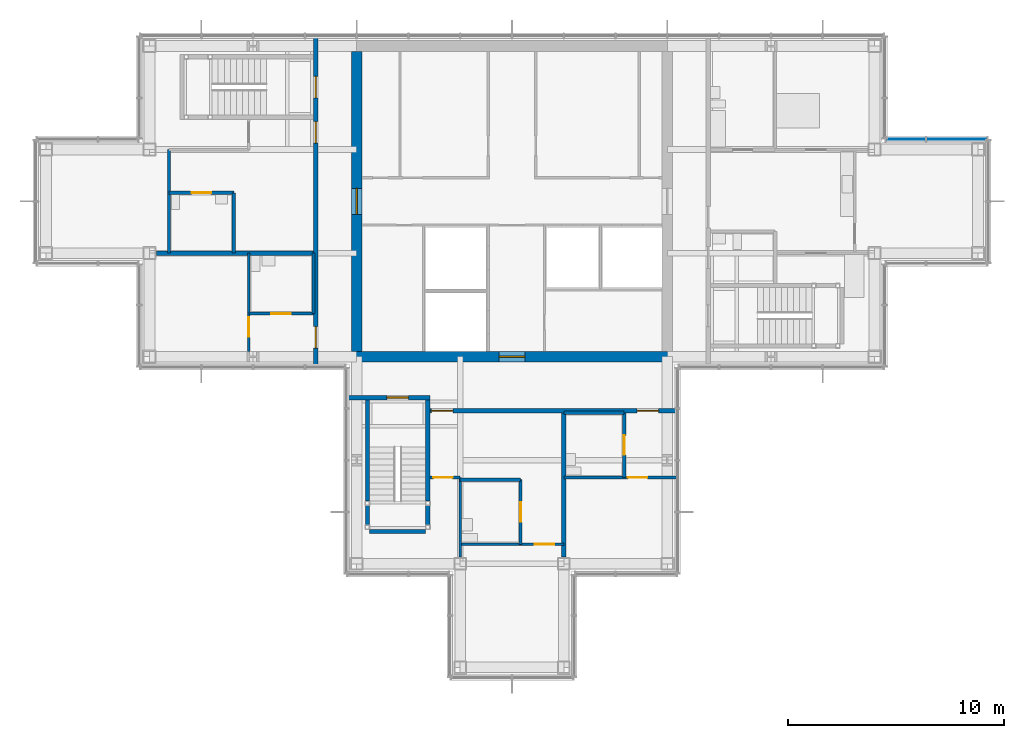
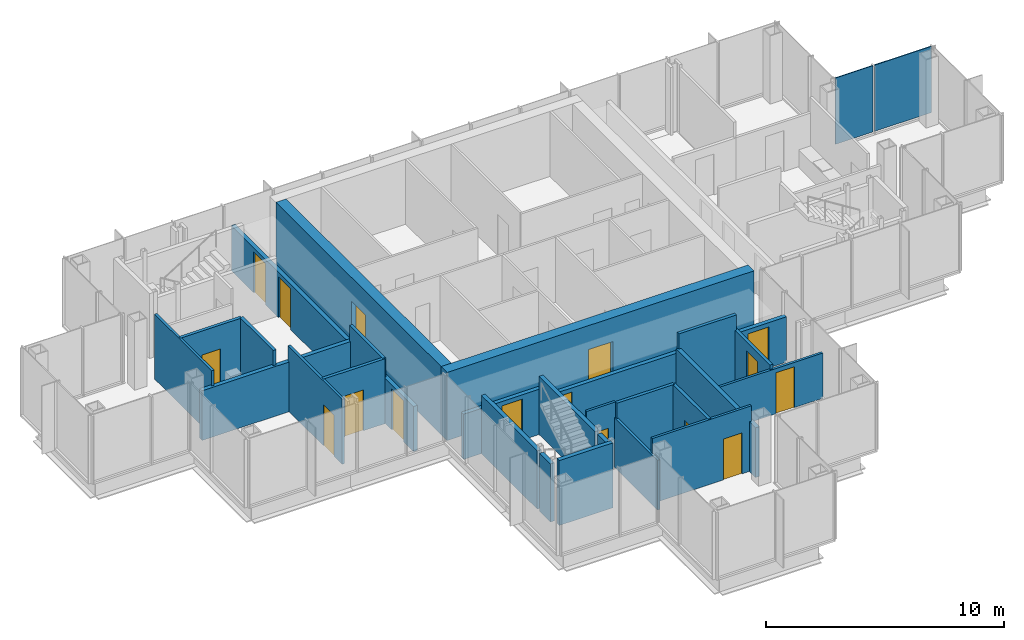
# One storey, part 10 of 15: 26 walls, 16 doors, 2 plates, 16 openings, 1 element without a shape of its own.
"""IFC4 building model written with IfcOpenShell, lengths in metres."""

from ifc_helpers import new_model, si_unit, direction, frame, frame_2d, origin, origin_2d, place, context, subcontext, project, spatial, rectangle, extrude, material, layer, layer_set, type_object, element, fill, aggregate, save


model = new_model("IFC4")

# Units and contexts
model_context = context("Model", 3, precision=1e-05, world=origin(), true_north=direction((0.0, 1.0)))
body_context = subcontext(model_context, "Body", "Model", "MODEL_VIEW")
ifc_project = project(units=[si_unit("LENGTHUNIT", "METRE"), si_unit("AREAUNIT", "SQUARE_METRE"), si_unit("VOLUMEUNIT", "CUBIC_METRE"), si_unit("PLANEANGLEUNIT", "RADIAN"), si_unit("MASSUNIT", "GRAM", prefix="KILO")], contexts=[model_context])

# Site, building, storey
site_placement = place(None, origin())
site = spatial("IfcSite", under=ifc_project, at=site_placement, CompositionType="ELEMENT")
building_placement = place(site_placement, origin())
building = spatial("IfcBuilding", under=site, at=building_placement, Name="Kvirike Care Tower", CompositionType="ELEMENT")
storey_placement = place(building_placement, frame((0.0, 0.0, 229.5)))
storey = spatial("IfcBuildingStorey", under=building, at=storey_placement, Name="L63", CompositionType="ELEMENT", Elevation=229.5)

# Curtain wall, plates
ifc_material_1 = material(Name="Anodised aluminium stick system", Category="aluminium")
curtain_wall_type = type_object("IfcCurtainWallType", Name="CW-D STICK CURTAIN WALL", PredefinedType="NOTDEFINED", material=ifc_material_1)
curtain_wall_placement = place(storey_placement, origin())
curtain_wall = element("IfcCurtainWall", 1, at=curtain_wall_placement, inside=storey, type_object=curtain_wall_type, Name="Curtain wall L63 face 5", PredefinedType="NOTDEFINED")
ifc_material_2 = material(Name="Tinted double glazed unit", Category="glass")
ifc_layer_1 = layer(ifc_material_2, 0.0439453125)
ifc_layer_set_1 = layer_set([ifc_layer_1], Name="TINTED VISION PANEL 44")
plate_type = type_object("IfcPlateType", Name="TINTED VISION PANEL 44", PredefinedType="CURTAIN_PANEL", material=ifc_layer_set_1)
plate_1_placement = place(storey_placement, frame((42.2236328125, 38.8798828125, 0.10009765625), z_axis=(0.0, 0.0, 1.0), x_axis=(-1.0, 0.0, 0.0)))
plate_1 = element("IfcPlate", 2, at=plate_1_placement, type_object=plate_type, Name="CW-D panel L63 face 5.1", PredefinedType="CURTAIN_PANEL", context=body_context, shape_type="SweptSolid", body=[
    extrude(rectangle(XDim=2.782470703125, YDim=0.0439453125, at=origin_2d()), origin(), (0.0, 0.0, 1.0), 3.39990234375),
])
plate_2_placement = place(storey_placement, frame((39.856201171875, 38.8798828125, 0.10009765625), z_axis=(0.0, 0.0, 1.0), x_axis=(-1.0, 0.0, 0.0)))
plate_2 = element("IfcPlate", 3, at=plate_2_placement, type_object=plate_type, Name="CW-D panel L63 face 5.2", PredefinedType="CURTAIN_PANEL", context=body_context, shape_type="SweptSolid", body=[
    extrude(rectangle(XDim=1.822509765625, YDim=0.0439453125, at=origin_2d()), origin(), (0.0, 0.0, 1.0), 3.39990234375),
])
aggregate(curtain_wall, [plate_1, plate_2])

# Wall, opening, door
ifc_material_3 = material(Name="Moisture-resistant board partition", Category="gypsum")
ifc_layer_2 = layer(ifc_material_3, 0.14990234375)
ifc_layer_set_2 = layer_set([ifc_layer_2], Name="BATHROOM WALL 150")
wall_type_1 = type_object("IfcWallType", Name="BATHROOM WALL 150", PredefinedType="PARTITIONING", material=ifc_layer_set_2)
wall_1_placement = place(storey_placement, frame((5.699951171875, 36.39990234375, 0.0), z_axis=(0.0, 0.0, 1.0), x_axis=(1.0, 0.0, 0.0)))
wall_1 = element("IfcWall", 4, at=wall_1_placement, inside=storey, type_object=wall_type_1, Name="Bathroom Wall 150 L63", PredefinedType="PARTITIONING", context=body_context, shape_type="SweptSolid", body=[
    extrude(rectangle(XDim=3.0, YDim=0.14990234375, at=frame_2d((1.5, 0.0))), origin(), (0.0, 0.0, 1.0), 3.330078125),
])
opening_1_placement = place(wall_1_placement, frame((1.050048828125, 0.0, 0.0)))
opening_1 = element("IfcOpeningElement", 5, at=opening_1_placement, cuts=wall_1, Name="Opening 63-001", PredefinedType="OPENING", context=body_context, shape_type="SweptSolid", body=[
    extrude(rectangle(XDim=0.89990234375, YDim=2.10009765625, at=frame_2d((0.449951171875, 1.050048828125))), frame((0.0, 0.08544921875, 0.0), z_axis=(0.0, -1.0, 0.0), x_axis=(1.0, 0.0, 0.0)), (0.0, 0.0, 1.0), 0.1708984375),
])
ifc_material_4 = material(Name="Timber door set", Category="wood")
door_type_1 = type_object("IfcDoorType", Name="BATHROOM DOOR 900", OperationType="SINGLE_SWING_RIGHT", PredefinedType="DOOR", material=ifc_material_4)
door_1_placement = place(opening_1_placement, frame((0.89990234375, 0.0, 0.0), z_axis=(0.0, 0.0, 1.0), x_axis=(-1.0, 0.0, 0.0)))
door_1 = element("IfcDoor", 6, at=door_1_placement, inside=storey, type_object=door_type_1, Name="Staff WC door", OperationType="SINGLE_SWING_RIGHT", OverallHeight=2.10009765625, OverallWidth=0.89990234375, PredefinedType="DOOR", context=body_context, shape_type="SweptSolid", body=[
    extrude(rectangle(XDim=0.89990234375, YDim=2.10009765625, at=frame_2d((0.449951171875, 1.050048828125))), frame((0.0, 0.02197265625, 0.0), z_axis=(0.0, -1.0, 0.0), x_axis=(1.0, 0.0, 0.0)), (0.0, 0.0, 1.0), 0.0439453125),
])
fill(opening_1, door_1)

# Wall
wall_2_placement = place(storey_placement, frame((8.699951171875, 36.39990234375, 0.0), z_axis=(0.0, 0.0, 1.0), x_axis=(0.0, -1.0, 0.0)))
element("IfcWall", 7, at=wall_2_placement, inside=storey, type_object=wall_type_1, Name="Bathroom Wall 150 L63", PredefinedType="PARTITIONING", context=body_context, shape_type="SweptSolid", body=[
    extrude(rectangle(XDim=2.7998046875, YDim=0.14990234375, at=frame_2d((1.39990234375, 0.0))), origin(), (0.0, 0.0, 1.0), 3.330078125),
])

# Wall, opening, door
wall_3_placement = place(storey_placement, frame((9.39990234375, 30.800048828125, 0.0), z_axis=(0.0, 0.0, 1.0), x_axis=(1.0, 0.0, 0.0)))
wall_3 = element("IfcWall", 8, at=wall_3_placement, inside=storey, type_object=wall_type_1, Name="Bathroom Wall 150 L63", PredefinedType="PARTITIONING", context=body_context, shape_type="SweptSolid", body=[
    extrude(rectangle(XDim=3.0, YDim=0.14990234375, at=frame_2d((1.5, 0.0))), origin(), (0.0, 0.0, 1.0), 3.330078125),
])
opening_2_placement = place(wall_3_placement, frame((1.050048828125, 0.0, 0.0)))
opening_2 = element("IfcOpeningElement", 9, at=opening_2_placement, cuts=wall_3, Name="Opening 63-003", PredefinedType="OPENING", context=body_context, shape_type="SweptSolid", body=[
    extrude(rectangle(XDim=0.89990234375, YDim=2.10009765625, at=frame_2d((0.449951171875, 1.050048828125))), frame((0.0, 0.08544921875, 0.0), z_axis=(0.0, -1.0, 0.0), x_axis=(1.0, 0.0, 0.0)), (0.0, 0.0, 1.0), 0.1708984375),
])
door_2_placement = place(opening_2_placement, frame((0.89990234375, 0.0, 0.0), z_axis=(0.0, 0.0, 1.0), x_axis=(-1.0, 0.0, 0.0)))
door_2 = element("IfcDoor", 10, at=door_2_placement, inside=storey, type_object=door_type_1, Name="Accessible WC door", OperationType="SINGLE_SWING_RIGHT", OverallHeight=2.10009765625, OverallWidth=0.89990234375, PredefinedType="DOOR", context=body_context, shape_type="SweptSolid", body=[
    extrude(rectangle(XDim=0.89990234375, YDim=2.10009765625, at=frame_2d((0.449951171875, 1.050048828125))), frame((0.0, 0.02197265625, 0.0), z_axis=(0.0, -1.0, 0.0), x_axis=(1.0, 0.0, 0.0)), (0.0, 0.0, 1.0), 0.0439453125),
])
fill(opening_2, door_2)

# Wall
wall_4_placement = place(storey_placement, frame((12.39990234375, 33.60009765625, 0.0), z_axis=(0.0, 0.0, 1.0), x_axis=(0.0, -1.0, 0.0)))
element("IfcWall", 11, at=wall_4_placement, inside=storey, type_object=wall_type_1, Name="Bathroom Wall 150 L63", PredefinedType="PARTITIONING", context=body_context, shape_type="SweptSolid", body=[
    extrude(rectangle(XDim=2.800048828125, YDim=0.14990234375, at=frame_2d((1.39990234375, 0.0))), origin(), (0.0, 0.0, 1.0), 3.330078125),
])

# Wall, opening, door
wall_5_placement = place(storey_placement, frame((22.0, 20.10009765625, 0.0), z_axis=(0.0, 0.0, 1.0), x_axis=(0.0, 1.0, 0.0)))
wall_5 = element("IfcWall", 12, at=wall_5_placement, inside=storey, type_object=wall_type_1, Name="Bathroom Wall 150 L63", PredefinedType="PARTITIONING", context=body_context, shape_type="SweptSolid", body=[
    extrude(rectangle(XDim=3.0, YDim=0.14990234375, at=frame_2d((1.5, 0.0))), origin(), (0.0, 0.0, 1.0), 3.330078125),
])
opening_3_placement = place(wall_5_placement, frame((1.050048828125, 0.0, 0.0)))
opening_3 = element("IfcOpeningElement", 13, at=opening_3_placement, cuts=wall_5, Name="Opening 63-009", PredefinedType="OPENING", context=body_context, shape_type="SweptSolid", body=[
    extrude(rectangle(XDim=0.89990234375, YDim=2.10009765625, at=frame_2d((0.449951171875, 1.050048828125))), frame((0.0, 0.08544921875, 0.0), z_axis=(0.0, -1.0, 0.0), x_axis=(1.0, 0.0, 0.0)), (0.0, 0.0, 1.0), 0.1708984375),
])
door_3_placement = place(opening_3_placement, origin())
door_3 = element("IfcDoor", 14, at=door_3_placement, inside=storey, type_object=door_type_1, Name="Accessible WC door", OperationType="SINGLE_SWING_RIGHT", OverallHeight=2.10009765625, OverallWidth=0.89990234375, PredefinedType="DOOR", context=body_context, shape_type="SweptSolid", body=[
    extrude(rectangle(XDim=0.89990234375, YDim=2.10009765625, at=frame_2d((0.449951171875, 1.050048828125))), frame((0.0, 0.02197265625, 0.0), z_axis=(0.0, -1.0, 0.0), x_axis=(1.0, 0.0, 0.0)), (0.0, 0.0, 1.0), 0.0439453125),
])
fill(opening_3, door_3)

# Wall
wall_6_placement = place(storey_placement, frame((19.199951171875, 23.10009765625, 0.0), z_axis=(0.0, 0.0, 1.0), x_axis=(1.0, 0.0, 0.0)))
element("IfcWall", 15, at=wall_6_placement, inside=storey, type_object=wall_type_1, Name="Bathroom Wall 150 L63", PredefinedType="PARTITIONING", context=body_context, shape_type="SweptSolid", body=[
    extrude(rectangle(XDim=2.800048828125, YDim=0.14990234375, at=frame_2d((1.39990234375, 0.0))), origin(), (0.0, 0.0, 1.0), 3.330078125),
])

# Wall, opening, door
wall_7_placement = place(storey_placement, frame((26.800048828125, 23.199951171875, 0.0), z_axis=(0.0, 0.0, 1.0), x_axis=(0.0, 1.0, 0.0)))
wall_7 = element("IfcWall", 16, at=wall_7_placement, inside=storey, type_object=wall_type_1, Name="Bathroom Wall 150 L63", PredefinedType="PARTITIONING", context=body_context, shape_type="SweptSolid", body=[
    extrude(rectangle(XDim=3.0, YDim=0.14990234375, at=frame_2d((1.5, 0.0))), origin(), (0.0, 0.0, 1.0), 2.550048828125),
])
opening_4_placement = place(wall_7_placement, frame((1.050048828125, 0.0, 0.0)))
opening_4 = element("IfcOpeningElement", 17, at=opening_4_placement, cuts=wall_7, Name="Opening 63-012", PredefinedType="OPENING", context=body_context, shape_type="SweptSolid", body=[
    extrude(rectangle(XDim=0.89990234375, YDim=2.10009765625, at=frame_2d((0.449951171875, 1.050048828125))), frame((0.0, 0.08544921875, 0.0), z_axis=(0.0, -1.0, 0.0), x_axis=(1.0, 0.0, 0.0)), (0.0, 0.0, 1.0), 0.1708984375),
])
door_4_placement = place(opening_4_placement, frame((0.89990234375, 0.0, 0.0), z_axis=(0.0, 0.0, 1.0), x_axis=(-1.0, 0.0, 0.0)))
door_4 = element("IfcDoor", 18, at=door_4_placement, inside=storey, type_object=door_type_1, Name="Staff WC door", OperationType="SINGLE_SWING_LEFT", OverallHeight=2.10009765625, OverallWidth=0.89990234375, PredefinedType="DOOR", context=body_context, shape_type="SweptSolid", body=[
    extrude(rectangle(XDim=0.89990234375, YDim=2.10009765625, at=frame_2d((0.449951171875, 1.050048828125))), frame((0.0, 0.02197265625, 0.0), z_axis=(0.0, -1.0, 0.0), x_axis=(1.0, 0.0, 0.0)), (0.0, 0.0, 1.0), 0.0439453125),
])
fill(opening_4, door_4)

# Wall
wall_8_placement = place(storey_placement, frame((24.0, 26.199951171875, 0.0), z_axis=(0.0, 0.0, 1.0), x_axis=(1.0, 0.0, 0.0)))
element("IfcWall", 19, at=wall_8_placement, inside=storey, type_object=wall_type_1, Name="Bathroom Wall 150 L63", PredefinedType="PARTITIONING", context=body_context, shape_type="SweptSolid", body=[
    extrude(rectangle(XDim=2.800048828125, YDim=0.14990234375, at=frame_2d((1.39990234375, 0.0))), origin(), (0.0, 0.0, 1.0), 3.330078125),
])

# Wall, opening, door
ifc_material_5 = material(Name="Concrete C40/50", Category="concrete")
ifc_layer_3 = layer(ifc_material_5, 0.5)
ifc_layer_set_3 = layer_set([ifc_layer_3], Name="CORE WALL 500 C40-50")
wall_type_2 = type_object("IfcWallType", Name="CORE WALL 500 C40-50", PredefinedType="SHEAR", material=ifc_layer_set_3)
wall_9_placement = place(storey_placement, frame((14.14990234375, 28.800048828125, -0.169921875), z_axis=(0.0, 0.0, 1.0), x_axis=(1.0, 0.0, 0.0)))
wall_9 = element("IfcWall", 20, at=wall_9_placement, inside=storey, type_object=wall_type_2, Name="Core wall S L63", PredefinedType="SHEAR", context=body_context, shape_type="SweptSolid", body=[
    extrude(rectangle(XDim=14.900146484375, YDim=0.5, at=frame_2d((7.4501953125, 0.0))), origin(), (0.0, 0.0, 1.0), 3.5),
])
opening_5_placement = place(wall_9_placement, frame((6.85009765625, 0.0, 0.169921875)))
opening_5 = element("IfcOpeningElement", 21, at=opening_5_placement, cuts=wall_9, Name="Opening 63-036", PredefinedType="OPENING", context=body_context, shape_type="SweptSolid", body=[
    extrude(rectangle(XDim=1.199951171875, YDim=2.10009765625, at=frame_2d((0.60009765625, 1.050048828125))), frame((0.0, 0.260498046875, 0.0), z_axis=(0.0, -1.0, 0.0), x_axis=(1.0, 0.0, 0.0)), (0.0, 0.0, 1.0), 0.52099609375),
])
ifc_material_6 = material(Name="Timber door set", Category="wood")
door_type_2 = type_object("IfcDoorType", Name="CORE DOOR 1200", OperationType="SINGLE_SWING_LEFT", PredefinedType="DOOR", material=ifc_material_6)
door_5_placement = place(opening_5_placement, origin())
door_5 = element("IfcDoor", 22, at=door_5_placement, inside=storey, type_object=door_type_2, Name="Core door S L63", OperationType="SINGLE_SWING_LEFT", OverallHeight=2.10009765625, OverallWidth=1.199951171875, PredefinedType="DOOR", context=body_context, shape_type="SweptSolid", body=[
    extrude(rectangle(XDim=1.199951171875, YDim=2.10009765625, at=frame_2d((0.60009765625, 1.050048828125))), frame((0.0, 0.02685546875, 0.0), z_axis=(0.0, -1.0, 0.0), x_axis=(1.0, 0.0, 0.0)), (0.0, 0.0, 1.0), 0.053955078125),
])
fill(opening_5, door_5)

wall_10_placement = place(storey_placement, frame((14.39990234375, 42.949951171875, -0.169921875), z_axis=(0.0, 0.0, 1.0), x_axis=(0.0, -1.0, 0.0)))
wall_10 = element("IfcWall", 23, at=wall_10_placement, inside=storey, type_object=wall_type_2, Name="Core wall W L63", PredefinedType="SHEAR", context=body_context, shape_type="SweptSolid", body=[
    extrude(rectangle(XDim=13.89990234375, YDim=0.5, at=frame_2d((6.949951171875, 0.0))), origin(), (0.0, 0.0, 1.0), 3.5),
])
opening_6_placement = place(wall_10_placement, frame((6.35009765625, 0.0, 0.169921875)))
opening_6 = element("IfcOpeningElement", 24, at=opening_6_placement, cuts=wall_10, Name="Opening 63-037", PredefinedType="OPENING", context=body_context, shape_type="SweptSolid", body=[
    extrude(rectangle(XDim=1.199951171875, YDim=2.10009765625, at=frame_2d((0.60009765625, 1.050048828125))), frame((0.0, 0.260498046875, 0.0), z_axis=(0.0, -1.0, 0.0), x_axis=(1.0, 0.0, 0.0)), (0.0, 0.0, 1.0), 0.52099609375),
])
door_6_placement = place(opening_6_placement, origin())
door_6 = element("IfcDoor", 25, at=door_6_placement, inside=storey, type_object=door_type_2, Name="Core door W L63", OperationType="SINGLE_SWING_LEFT", OverallHeight=2.10009765625, OverallWidth=1.199951171875, PredefinedType="DOOR", context=body_context, shape_type="SweptSolid", body=[
    extrude(rectangle(XDim=1.199951171875, YDim=2.10009765625, at=frame_2d((0.60009765625, 1.050048828125))), frame((0.0, 0.02685546875, 0.0), z_axis=(0.0, -1.0, 0.0), x_axis=(1.0, 0.0, 0.0)), (0.0, 0.0, 1.0), 0.053955078125),
])
fill(opening_6, door_6)

# Wall, openings, doors
ifc_material_7 = material(Name="Plasterboard corridor wall", Category="gypsum")
ifc_layer_4 = layer(ifc_material_7, 0.199951171875)
ifc_layer_set_4 = layer_set([ifc_layer_4], Name="CORRIDOR WALL 200")
wall_type_3 = type_object("IfcWallType", Name="CORRIDOR WALL 200", PredefinedType="PARTITIONING", material=ifc_layer_set_4)
wall_11_placement = place(storey_placement, frame((12.5, 43.655029296875, 0.0), z_axis=(0.0, 0.0, 1.0), x_axis=(0.0, -1.0, 0.0)))
wall_11 = element("IfcWall", 26, at=wall_11_placement, inside=storey, type_object=wall_type_3, Name="Corridor Wall 200 L63", PredefinedType="PARTITIONING", context=body_context, shape_type="SweptSolid", body=[
    extrude(rectangle(XDim=15.31005859375, YDim=0.199951171875, at=frame_2d((7.655029296875, 0.0))), origin(), (0.0, 0.0, 1.0), 2.320068359375),
])
opening_7_placement = place(wall_11_placement, frame((1.85498046875, 0.0, 0.0)))
opening_7 = element("IfcOpeningElement", 27, at=opening_7_placement, cuts=wall_11, Name="Opening 63-005", PredefinedType="OPENING", context=body_context, shape_type="SweptSolid", body=[
    extrude(rectangle(XDim=1.0, YDim=2.10009765625, at=frame_2d((0.5, 1.050048828125))), frame((0.0, 0.110595703125, 0.0), z_axis=(0.0, -1.0, 0.0), x_axis=(1.0, 0.0, 0.0)), (0.0, 0.0, 1.0), 0.220947265625),
])
opening_8_placement = place(wall_11_placement, frame((3.955078125, 0.0, 0.0)))
opening_8 = element("IfcOpeningElement", 28, at=opening_8_placement, cuts=wall_11, Name="Opening 63-006", PredefinedType="OPENING", context=body_context, shape_type="SweptSolid", body=[
    extrude(rectangle(XDim=1.0, YDim=2.10009765625, at=frame_2d((0.5, 1.050048828125))), frame((0.0, 0.110595703125, 0.0), z_axis=(0.0, -1.0, 0.0), x_axis=(1.0, 0.0, 0.0)), (0.0, 0.0, 1.0), 0.220947265625),
])
opening_9_placement = place(wall_11_placement, frame((13.455078125, 0.0, 0.0)))
opening_9 = element("IfcOpeningElement", 29, at=opening_9_placement, cuts=wall_11, Name="Opening 63-007", PredefinedType="OPENING", context=body_context, shape_type="SweptSolid", body=[
    extrude(rectangle(XDim=1.0, YDim=2.10009765625, at=frame_2d((0.5, 1.050048828125))), frame((0.0, 0.110595703125, 0.0), z_axis=(0.0, -1.0, 0.0), x_axis=(1.0, 0.0, 0.0)), (0.0, 0.0, 1.0), 0.220947265625),
])
ifc_material_8 = material(Name="Timber door set", Category="wood")
door_type_3 = type_object("IfcDoorType", Name="FLAT ENTRANCE DOOR 1000", OperationType="SINGLE_SWING_LEFT", PredefinedType="DOOR", material=ifc_material_8)
door_7_placement = place(opening_8_placement, frame((1.0, 0.0, 0.0), z_axis=(0.0, 0.0, 1.0), x_axis=(-1.0, 0.0, 0.0)))
door_7 = element("IfcDoor", 30, at=door_7_placement, inside=storey, type_object=door_type_3, Name="Staff training room entrance", OperationType="SINGLE_SWING_LEFT", OverallHeight=2.10009765625, OverallWidth=1.0, PredefinedType="DOOR", context=body_context, shape_type="SweptSolid", body=[
    extrude(rectangle(XDim=1.0, YDim=2.10009765625, at=frame_2d((0.5, 1.050048828125))), frame((0.0, 0.02685546875, 0.0), z_axis=(0.0, -1.0, 0.0), x_axis=(1.0, 0.0, 0.0)), (0.0, 0.0, 1.0), 0.053955078125),
])
fill(opening_8, door_7)
door_8_placement = place(opening_9_placement, frame((1.0, 0.0, 0.0), z_axis=(0.0, 0.0, 1.0), x_axis=(-1.0, 0.0, 0.0)))
door_8 = element("IfcDoor", 31, at=door_8_placement, inside=storey, type_object=door_type_3, Name="Staff office entrance", OperationType="SINGLE_SWING_RIGHT", OverallHeight=2.10009765625, OverallWidth=1.0, PredefinedType="DOOR", context=body_context, shape_type="SweptSolid", body=[
    extrude(rectangle(XDim=1.0, YDim=2.10009765625, at=frame_2d((0.5, 1.050048828125))), frame((0.0, 0.02685546875, 0.0), z_axis=(0.0, -1.0, 0.0), x_axis=(1.0, 0.0, 0.0)), (0.0, 0.0, 1.0), 0.053955078125),
])
fill(opening_9, door_8)
ifc_material_9 = material(Name="Timber door set", Category="wood")
door_type_4 = type_object("IfcDoorType", Name="STAIR DOOR 1000", OperationType="SINGLE_SWING_LEFT", PredefinedType="DOOR", material=ifc_material_9)
door_9_placement = place(opening_7_placement, frame((1.0, 0.0, 0.0), z_axis=(0.0, 0.0, 1.0), x_axis=(-1.0, 0.0, 0.0)))
door_9 = element("IfcDoor", 32, at=door_9_placement, inside=storey, type_object=door_type_4, Name="Stair 1 door", OperationType="SINGLE_SWING_RIGHT", OverallHeight=2.10009765625, OverallWidth=1.0, PredefinedType="DOOR", context=body_context, shape_type="SweptSolid", body=[
    extrude(rectangle(XDim=1.0, YDim=2.10009765625, at=frame_2d((0.5, 1.050048828125))), frame((0.0, 0.031982421875, 0.0), z_axis=(0.0, -1.0, 0.0), x_axis=(1.0, 0.0, 0.0)), (0.0, 0.0, 1.0), 0.06396484375),
])
fill(opening_7, door_9)

wall_12_placement = place(storey_placement, frame((17.800048828125, 26.300048828125, 0.0), z_axis=(0.0, 0.0, 1.0), x_axis=(1.0, 0.0, 0.0)))
wall_12 = element("IfcWall", 33, at=wall_12_placement, inside=storey, type_object=wall_type_3, Name="Corridor Wall 200 L63", PredefinedType="PARTITIONING", context=body_context, shape_type="SweptSolid", body=[
    extrude(rectangle(XDim=11.454833984375, YDim=0.199951171875, at=frame_2d((5.7275390625, 0.0))), origin(), (0.0, 0.0, 1.0), 2.320068359375),
])
opening_10_placement = place(wall_12_placement, frame((0.06005859375, 0.0, 0.0)))
opening_10 = element("IfcOpeningElement", 34, at=opening_10_placement, cuts=wall_12, Name="Opening 63-014", PredefinedType="OPENING", context=body_context, shape_type="SweptSolid", body=[
    extrude(rectangle(XDim=1.0, YDim=2.10009765625, at=frame_2d((0.5, 1.050048828125))), frame((0.0, 0.110595703125, 0.0), z_axis=(0.0, -1.0, 0.0), x_axis=(1.0, 0.0, 0.0)), (0.0, 0.0, 1.0), 0.220947265625),
])
opening_11_placement = place(wall_12_placement, frame((9.60009765625, 0.0, 0.0)))
opening_11 = element("IfcOpeningElement", 35, at=opening_11_placement, cuts=wall_12, Name="Opening 63-015", PredefinedType="OPENING", context=body_context, shape_type="SweptSolid", body=[
    extrude(rectangle(XDim=1.0, YDim=2.10009765625, at=frame_2d((0.5, 1.050048828125))), frame((0.0, 0.110595703125, 0.0), z_axis=(0.0, -1.0, 0.0), x_axis=(1.0, 0.0, 0.0)), (0.0, 0.0, 1.0), 0.220947265625),
])
door_10_placement = place(opening_10_placement, frame((1.0, 0.0, 0.0), z_axis=(0.0, 0.0, 1.0), x_axis=(-1.0, 0.0, 0.0)))
door_10 = element("IfcDoor", 36, at=door_10_placement, inside=storey, type_object=door_type_3, Name="Fitness room entrance", OperationType="SINGLE_SWING_LEFT", OverallHeight=2.10009765625, OverallWidth=1.0, PredefinedType="DOOR", context=body_context, shape_type="SweptSolid", body=[
    extrude(rectangle(XDim=1.0, YDim=2.10009765625, at=frame_2d((0.5, 1.050048828125))), frame((0.0, 0.02685546875, 0.0), z_axis=(0.0, -1.0, 0.0), x_axis=(1.0, 0.0, 0.0)), (0.0, 0.0, 1.0), 0.053955078125),
])
fill(opening_10, door_10)
door_11_placement = place(opening_11_placement, frame((1.0, 0.0, 0.0), z_axis=(0.0, 0.0, 1.0), x_axis=(-1.0, 0.0, 0.0)))
door_11 = element("IfcDoor", 37, at=door_11_placement, inside=storey, type_object=door_type_3, Name="Wellness treatment room entrance", OperationType="SINGLE_SWING_RIGHT", OverallHeight=2.10009765625, OverallWidth=1.0, PredefinedType="DOOR", context=body_context, shape_type="SweptSolid", body=[
    extrude(rectangle(XDim=1.0, YDim=2.10009765625, at=frame_2d((0.5, 1.050048828125))), frame((0.0, 0.02685546875, 0.0), z_axis=(0.0, -1.0, 0.0), x_axis=(1.0, 0.0, 0.0)), (0.0, 0.0, 1.0), 0.053955078125),
])
fill(opening_11, door_11)

# Wall
ifc_material_10 = material(Name="Plasterboard partition", Category="gypsum")
ifc_layer_5 = layer(ifc_material_10, 0.1201171875)
ifc_layer_set_5 = layer_set([ifc_layer_5], Name="PARTITION 120")
wall_type_4 = type_object("IfcWallType", Name="PARTITION 120", PredefinedType="PARTITIONING", material=ifc_layer_set_5)
wall_13_placement = place(storey_placement, frame((5.699951171875, 38.39990234375, 0.0), z_axis=(0.0, 0.0, 1.0), x_axis=(0.0, -1.0, 0.0)))
element("IfcWall", 38, at=wall_13_placement, inside=storey, type_object=wall_type_4, Name="Partition 120 L63", PredefinedType="PARTITIONING", context=body_context, shape_type="SweptSolid", body=[
    extrude(rectangle(XDim=4.7998046875, YDim=0.1201171875, at=frame_2d((2.39990234375, 0.0))), origin(), (0.0, 0.0, 1.0), 3.330078125),
])

# Wall, opening, door
wall_14_placement = place(storey_placement, frame((9.39990234375, 33.60009765625, 0.0), z_axis=(0.0, 0.0, 1.0), x_axis=(0.0, -1.0, 0.0)))
wall_14 = element("IfcWall", 39, at=wall_14_placement, inside=storey, type_object=wall_type_4, Name="Partition 120 L63", PredefinedType="PARTITIONING", context=body_context, shape_type="SweptSolid", body=[
    extrude(rectangle(XDim=4.55615234375, YDim=0.1201171875, at=frame_2d((2.278076171875, 0.0))), origin(), (0.0, 0.0, 1.0), 3.330078125),
])
opening_12_placement = place(wall_14_placement, frame((2.97509765625, 0.0, 0.0)))
opening_12 = element("IfcOpeningElement", 40, at=opening_12_placement, cuts=wall_14, Name="Opening 63-004", PredefinedType="OPENING", context=body_context, shape_type="SweptSolid", body=[
    extrude(rectangle(XDim=0.89990234375, YDim=2.10009765625, at=frame_2d((0.449951171875, 1.050048828125))), frame((0.0, 0.070556640625, 0.0), z_axis=(0.0, -1.0, 0.0), x_axis=(1.0, 0.0, 0.0)), (0.0, 0.0, 1.0), 0.14111328125),
])
ifc_material_11 = material(Name="Timber door set", Category="wood")
door_type_5 = type_object("IfcDoorType", Name="INTERNAL DOOR 900", OperationType="SINGLE_SWING_LEFT", PredefinedType="DOOR", material=ifc_material_11)
door_12_placement = place(opening_12_placement, origin())
door_12 = element("IfcDoor", 41, at=door_12_placement, inside=storey, type_object=door_type_5, Name="Staff office door", OperationType="SINGLE_SWING_RIGHT", OverallHeight=2.10009765625, OverallWidth=0.89990234375, PredefinedType="DOOR", context=body_context, shape_type="SweptSolid", body=[
    extrude(rectangle(XDim=0.89990234375, YDim=2.10009765625, at=frame_2d((0.449951171875, 1.050048828125))), frame((0.0, 0.02197265625, 0.0), z_axis=(0.0, -1.0, 0.0), x_axis=(1.0, 0.0, 0.0)), (0.0, 0.0, 1.0), 0.0439453125),
])
fill(opening_12, door_12)

wall_15_placement = place(storey_placement, frame((17.800048828125, 23.199951171875, 0.0), z_axis=(0.0, 0.0, 1.0), x_axis=(1.0, 0.0, 0.0)))
wall_15 = element("IfcWall", 42, at=wall_15_placement, inside=storey, type_object=wall_type_4, Name="Partition 120 L63", PredefinedType="PARTITIONING", context=body_context, shape_type="SweptSolid", body=[
    extrude(rectangle(XDim=1.39990234375, YDim=0.1201171875, at=frame_2d((0.699951171875, 0.0))), origin(), (0.0, 0.0, 1.0), 3.330078125),
])
opening_13_placement = place(wall_15_placement, frame((0.14990234375, 0.0, 0.0)))
opening_13 = element("IfcOpeningElement", 43, at=opening_13_placement, cuts=wall_15, Name="Opening 63-010", PredefinedType="OPENING", context=body_context, shape_type="SweptSolid", body=[
    extrude(rectangle(XDim=0.89990234375, YDim=2.10009765625, at=frame_2d((0.449951171875, 1.050048828125))), frame((0.0, 0.070556640625, 0.0), z_axis=(0.0, -1.0, 0.0), x_axis=(1.0, 0.0, 0.0)), (0.0, 0.0, 1.0), 0.14111328125),
])
door_13_placement = place(opening_13_placement, frame((0.89990234375, 0.0, 0.0), z_axis=(0.0, 0.0, 1.0), x_axis=(-1.0, 0.0, 0.0)))
door_13 = element("IfcDoor", 44, at=door_13_placement, inside=storey, type_object=door_type_5, Name="Wellness lounge door", OperationType="SINGLE_SWING_LEFT", OverallHeight=2.10009765625, OverallWidth=0.89990234375, PredefinedType="DOOR", context=body_context, shape_type="SweptSolid", body=[
    extrude(rectangle(XDim=0.89990234375, YDim=2.10009765625, at=frame_2d((0.449951171875, 1.050048828125))), frame((0.0, 0.02197265625, 0.0), z_axis=(0.0, -1.0, 0.0), x_axis=(1.0, 0.0, 0.0)), (0.0, 0.0, 1.0), 0.0439453125),
])
fill(opening_13, door_13)

wall_16_placement = place(storey_placement, frame((19.199951171875, 20.10009765625, 0.0), z_axis=(0.0, 0.0, 1.0), x_axis=(1.0, 0.0, 0.0)))
wall_16 = element("IfcWall", 45, at=wall_16_placement, inside=storey, type_object=wall_type_4, Name="Partition 120 L63", PredefinedType="PARTITIONING", context=body_context, shape_type="SweptSolid", body=[
    extrude(rectangle(XDim=4.800048828125, YDim=0.1201171875, at=frame_2d((2.39990234375, 0.0))), origin(), (0.0, 0.0, 1.0), 3.330078125),
])
opening_14_placement = place(wall_16_placement, frame((3.449951171875, 0.0, 0.0)))
opening_14 = element("IfcOpeningElement", 46, at=opening_14_placement, cuts=wall_16, Name="Opening 63-011", PredefinedType="OPENING", context=body_context, shape_type="SweptSolid", body=[
    extrude(rectangle(XDim=0.89990234375, YDim=2.10009765625, at=frame_2d((0.449951171875, 1.050048828125))), frame((0.0, 0.070556640625, 0.0), z_axis=(0.0, -1.0, 0.0), x_axis=(1.0, 0.0, 0.0)), (0.0, 0.0, 1.0), 0.14111328125),
])
door_14_placement = place(opening_14_placement, origin())
door_14 = element("IfcDoor", 47, at=door_14_placement, inside=storey, type_object=door_type_5, Name="Fitness room door", OperationType="SINGLE_SWING_LEFT", OverallHeight=2.10009765625, OverallWidth=0.89990234375, PredefinedType="DOOR", context=body_context, shape_type="SweptSolid", body=[
    extrude(rectangle(XDim=0.89990234375, YDim=2.10009765625, at=frame_2d((0.449951171875, 1.050048828125))), frame((0.0, 0.02197265625, 0.0), z_axis=(0.0, -1.0, 0.0), x_axis=(1.0, 0.0, 0.0)), (0.0, 0.0, 1.0), 0.0439453125),
])
fill(opening_14, door_14)

# Wall
wall_17_placement = place(storey_placement, frame((19.199951171875, 19.52001953125, 0.0), z_axis=(0.0, 0.0, 1.0), x_axis=(0.0, 1.0, 0.0)))
element("IfcWall", 48, at=wall_17_placement, inside=storey, type_object=wall_type_4, Name="Partition 120 L63", PredefinedType="PARTITIONING", context=body_context, shape_type="SweptSolid", body=[
    extrude(rectangle(XDim=3.679931640625, YDim=0.1201171875, at=frame_2d((1.83984375, 0.0))), origin(), (0.0, 0.0, 1.0), 2.550048828125),
])

# Wall, opening, door
wall_18_placement = place(storey_placement, frame((24.0, 23.199951171875, 0.0), z_axis=(0.0, 0.0, 1.0), x_axis=(1.0, 0.0, 0.0)))
wall_18 = element("IfcWall", 49, at=wall_18_placement, inside=storey, type_object=wall_type_4, Name="Partition 120 L63", PredefinedType="PARTITIONING", context=body_context, shape_type="SweptSolid", body=[
    extrude(rectangle(XDim=5.2548828125, YDim=0.1201171875, at=frame_2d((2.62744140625, 0.0))), origin(), (0.0, 0.0, 1.0), 2.320068359375),
])
opening_15_placement = place(wall_18_placement, frame((2.97509765625, 0.0, 0.0)))
opening_15 = element("IfcOpeningElement", 50, at=opening_15_placement, cuts=wall_18, Name="Opening 63-013", PredefinedType="OPENING", context=body_context, shape_type="SweptSolid", body=[
    extrude(rectangle(XDim=0.89990234375, YDim=2.10009765625, at=frame_2d((0.449951171875, 1.050048828125))), frame((0.0, 0.070556640625, 0.0), z_axis=(0.0, -1.0, 0.0), x_axis=(1.0, 0.0, 0.0)), (0.0, 0.0, 1.0), 0.14111328125),
])
door_15_placement = place(opening_15_placement, origin())
door_15 = element("IfcDoor", 51, at=door_15_placement, inside=storey, type_object=door_type_5, Name="Wellness treatment room door", OperationType="SINGLE_SWING_RIGHT", OverallHeight=2.10009765625, OverallWidth=0.89990234375, PredefinedType="DOOR", context=body_context, shape_type="SweptSolid", body=[
    extrude(rectangle(XDim=0.89990234375, YDim=2.10009765625, at=frame_2d((0.449951171875, 1.050048828125))), frame((0.0, 0.02197265625, 0.0), z_axis=(0.0, -1.0, 0.0), x_axis=(1.0, 0.0, 0.0)), (0.0, 0.0, 1.0), 0.0439453125),
])
fill(opening_15, door_15)

# Walls
ifc_material_12 = material(Name="Plasterboard party wall", Category="gypsum")
ifc_layer_6 = layer(ifc_material_12, 0.199951171875)
ifc_layer_set_6 = layer_set([ifc_layer_6], Name="PARTY WALL 200")
wall_type_5 = type_object("IfcWallType", Name="PARTY WALL 200", PredefinedType="PARTITIONING", material=ifc_layer_set_6)
wall_19_placement = place(storey_placement, frame((5.1201171875, 33.60009765625, 0.0), z_axis=(0.0, 0.0, 1.0), x_axis=(1.0, 0.0, 0.0)))
element("IfcWall", 52, at=wall_19_placement, inside=storey, type_object=wall_type_5, Name="Party Wall 200 L63", PredefinedType="PARTITIONING", context=body_context, shape_type="SweptSolid", body=[
    extrude(rectangle(XDim=7.27978515625, YDim=0.199951171875, at=frame_2d((3.639892578125, 0.0))), origin(), (0.0, 0.0, 1.0), 2.550048828125),
])
wall_20_placement = place(storey_placement, frame((24.0, 19.52001953125, 0.0), z_axis=(0.0, 0.0, 1.0), x_axis=(0.0, 1.0, 0.0)))
element("IfcWall", 53, at=wall_20_placement, inside=storey, type_object=wall_type_5, Name="Party Wall 200 L63", PredefinedType="PARTITIONING", context=body_context, shape_type="SweptSolid", body=[
    extrude(rectangle(XDim=6.679931640625, YDim=0.199951171875, at=frame_2d((3.33984375, 0.0))), origin(), (0.0, 0.0, 1.0), 2.550048828125),
])
ifc_material_13 = material(Name="Concrete C40/50", Category="concrete")
ifc_layer_7 = layer(ifc_material_13, 0.199951171875)
ifc_layer_set_7 = layer_set([ifc_layer_7], Name="STAIR WALL 200")
wall_type_6 = type_object("IfcWallType", Name="STAIR WALL 200", PredefinedType="SOLIDWALL", material=ifc_layer_set_7)
wall_21_placement = place(storey_placement, frame((14.89990234375, 21.0, 0.0), z_axis=(0.0, 0.0, 1.0), x_axis=(0.0, 1.0, 0.0)))
element("IfcWall", 54, at=wall_21_placement, inside=storey, type_object=wall_type_6, Name="Stair Wall 200 L63", PredefinedType="SOLIDWALL", context=body_context, shape_type="SweptSolid", body=[
    extrude(rectangle(XDim=0.89990234375, YDim=0.199951171875, at=frame_2d((0.449951171875, 0.0))), origin(), (0.0, 0.0, 1.0), 2.989990234375),
])
wall_22_placement = place(storey_placement, frame((14.89990234375, 22.10009765625, 0.0), z_axis=(0.0, 0.0, 1.0), x_axis=(0.0, 1.0, 0.0)))
element("IfcWall", 55, at=wall_22_placement, inside=storey, type_object=wall_type_6, Name="Stair Wall 200 L63", PredefinedType="SOLIDWALL", context=body_context, shape_type="SweptSolid", body=[
    extrude(rectangle(XDim=4.699951171875, YDim=0.199951171875, at=frame_2d((2.35009765625, 0.0))), origin(), (0.0, 0.0, 1.0), 2.989990234375),
])
wall_23_placement = place(storey_placement, frame((17.699951171875, 21.0, 0.0), z_axis=(0.0, 0.0, 1.0), x_axis=(0.0, 1.0, 0.0)))
element("IfcWall", 56, at=wall_23_placement, inside=storey, type_object=wall_type_6, Name="Stair Wall 200 L63", PredefinedType="SOLIDWALL", context=body_context, shape_type="SweptSolid", body=[
    extrude(rectangle(XDim=0.89990234375, YDim=0.199951171875, at=frame_2d((0.449951171875, 0.0))), origin(), (0.0, 0.0, 1.0), 2.989990234375),
])
wall_24_placement = place(storey_placement, frame((17.699951171875, 22.10009765625, 0.0), z_axis=(0.0, 0.0, 1.0), x_axis=(0.0, 1.0, 0.0)))
element("IfcWall", 57, at=wall_24_placement, inside=storey, type_object=wall_type_6, Name="Stair Wall 200 L63", PredefinedType="SOLIDWALL", context=body_context, shape_type="SweptSolid", body=[
    extrude(rectangle(XDim=4.699951171875, YDim=0.199951171875, at=frame_2d((2.35009765625, 0.0))), origin(), (0.0, 0.0, 1.0), 2.989990234375),
])
wall_25_placement = place(storey_placement, frame((15.0, 20.699951171875, 0.0), z_axis=(0.0, 0.0, 1.0), x_axis=(1.0, 0.0, 0.0)))
element("IfcWall", 58, at=wall_25_placement, inside=storey, type_object=wall_type_6, Name="Stair Wall 200 L63", PredefinedType="SOLIDWALL", context=body_context, shape_type="SweptSolid", body=[
    extrude(rectangle(XDim=2.60009765625, YDim=0.199951171875, at=frame_2d((1.300048828125, 0.0))), origin(), (0.0, 0.0, 1.0), 3.330078125),
])

# Wall, opening, door
wall_26_placement = place(storey_placement, frame((13.945068359375, 26.89990234375, 0.0), z_axis=(0.0, 0.0, 1.0), x_axis=(1.0, 0.0, 0.0)))
wall_26 = element("IfcWall", 59, at=wall_26_placement, inside=storey, type_object=wall_type_6, Name="Stair Wall 200 L63", PredefinedType="SOLIDWALL", context=body_context, shape_type="SweptSolid", body=[
    extrude(rectangle(XDim=3.85498046875, YDim=0.199951171875, at=frame_2d((1.927490234375, 0.0))), origin(), (0.0, 0.0, 1.0), 2.320068359375),
])
opening_16_placement = place(wall_26_placement, frame((1.85498046875, 0.0, 0.0)))
opening_16 = element("IfcOpeningElement", 60, at=opening_16_placement, cuts=wall_26, Name="Opening 63-008", PredefinedType="OPENING", context=body_context, shape_type="SweptSolid", body=[
    extrude(rectangle(XDim=1.0, YDim=2.10009765625, at=frame_2d((0.5, 1.050048828125))), frame((0.0, 0.110595703125, 0.0), z_axis=(0.0, -1.0, 0.0), x_axis=(1.0, 0.0, 0.0)), (0.0, 0.0, 1.0), 0.220947265625),
])
door_16_placement = place(opening_16_placement, frame((1.0, 0.0, 0.0), z_axis=(0.0, 0.0, 1.0), x_axis=(-1.0, 0.0, 0.0)))
door_16 = element("IfcDoor", 61, at=door_16_placement, inside=storey, type_object=door_type_4, Name="Stair 5 door", OperationType="SINGLE_SWING_RIGHT", OverallHeight=2.10009765625, OverallWidth=1.0, PredefinedType="DOOR", context=body_context, shape_type="SweptSolid", body=[
    extrude(rectangle(XDim=1.0, YDim=2.10009765625, at=frame_2d((0.5, 1.050048828125))), frame((0.0, 0.031982421875, 0.0), z_axis=(0.0, -1.0, 0.0), x_axis=(1.0, 0.0, 0.0)), (0.0, 0.0, 1.0), 0.06396484375),
])
fill(opening_16, door_16)

save(model, "model.ifc")
